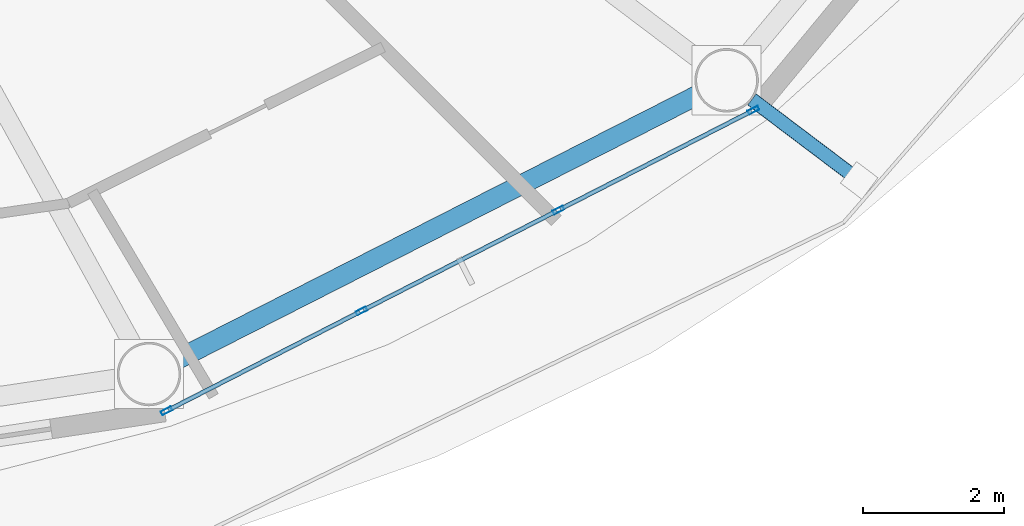
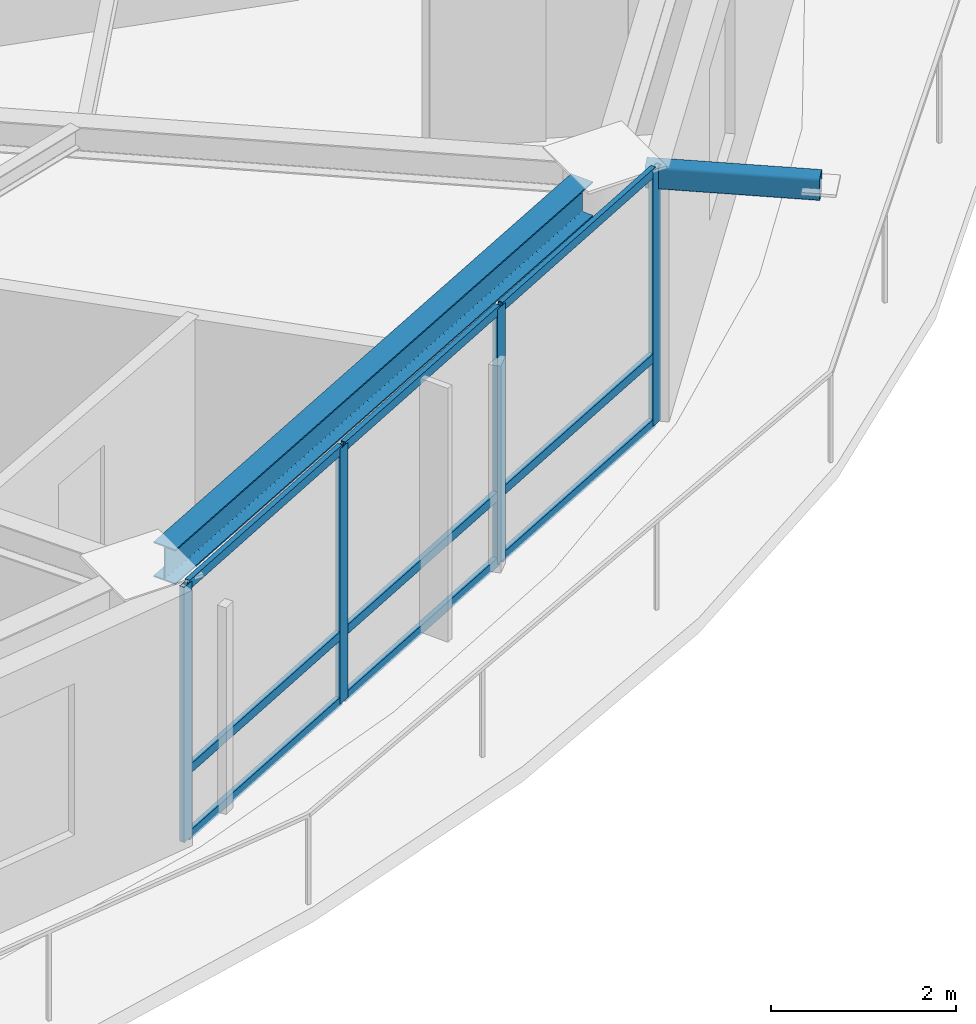
# One storey, part 5 of 23: 14 members, 1 beam, 1 element without a shape of its own.
"""IFC4 building model written with IfcOpenShell, lengths in metres."""

from ifc_helpers import new_model, si_unit, direction, frame, origin, origin_2d, place, context, subcontext, project, spatial, hollow_rectangle, i_section, extrude, material, layer, layer_set, material_profile, profile_set, type_object, element, aggregate, save


model = new_model("IFC4")

# Units and contexts
model_context = context("Model", 3, precision=1e-05, world=origin(), true_north=direction((0.0, 1.0)))
body_context = subcontext(model_context, "Body", "Model", "MODEL_VIEW")
ifc_project = project(units=[si_unit("LENGTHUNIT", "METRE"), si_unit("AREAUNIT", "SQUARE_METRE"), si_unit("VOLUMEUNIT", "CUBIC_METRE"), si_unit("PLANEANGLEUNIT", "RADIAN"), si_unit("MASSUNIT", "GRAM", prefix="KILO")], contexts=[model_context])

# Site, building, storey
site_placement = place(None, origin())
site = spatial("IfcSite", under=ifc_project, at=site_placement, CompositionType="ELEMENT")
building_placement = place(site_placement, origin())
building = spatial("IfcBuilding", under=site, at=building_placement, Name="Sarneth Arch Tower", CompositionType="ELEMENT")
storey_placement = place(building_placement, frame((0.0, 0.0, 262.199951171875)))
storey = spatial("IfcBuildingStorey", under=building, at=storey_placement, Name="L67", CompositionType="ELEMENT", Elevation=262.199951171875)

# Beam
ifc_material_1 = material(Name="Steel S355", Category="steel")
ifc_material_profile_1 = material_profile(ifc_material_1, i_section(OverallWidth=0.280029296875, OverallDepth=0.462890625, WebThickness=0.0107421875, FlangeThickness=0.017333984375, FilletRadius=0.01806640625, at=origin_2d()), Name="W460x113")
ifc_profile_set_1 = profile_set([ifc_material_profile_1], Name="Steel S355")
beam_type = type_object("IfcBeamType", Name="BM-RAD-460A", PredefinedType="BEAM", material=ifc_profile_set_1)
beam_placement = place(storey_placement, frame((58.19189453125, 24.465576171875, 3.138427734375), z_axis=(0.891376248079, 0.453264144138, 0.0), x_axis=(-0.453264144138, 0.891376248079, 0.0)))
element("IfcBeam", 1, at=beam_placement, inside=storey, type_object=beam_type, Name="L67 Perimeter spandrel beam 14", PredefinedType="BEAM", context=body_context, shape_type="SweptSolid", body=[
    extrude(i_section(OverallWidth=0.280029296875, OverallDepth=0.462890625, WebThickness=0.0107421875, FlangeThickness=0.017333984375, FilletRadius=0.01806640625, at=origin_2d()), origin(), (0.0, 0.0, 1.0), 8.281982421875),
])

# Curtain wall, members
ifc_material_2 = material(Name="Anodised aluminium Type AA25 and solar-control low-e laminated IGU", Category="aluminium")
ifc_layer = layer(ifc_material_2, 0.179931640625)
ifc_layer_set = layer_set([ifc_layer], Name="Anodised aluminium Type AA25 and solar-control low-e laminated IGU")
curtain_wall_type = type_object("IfcCurtainWallType", Name="CW-RES-HIGH", PredefinedType="NOTDEFINED", material=ifc_layer_set)
curtain_wall_placement = place(storey_placement, origin())
curtain_wall = element("IfcCurtainWall", 2, at=curtain_wall_placement, inside=storey, type_object=curtain_wall_type, Name="L67 Unitised curtain wall facet 14", PredefinedType="NOTDEFINED")
ifc_material_3 = material(Name="Anodised Aluminium 6063-T6", Category="aluminium")
ifc_material_profile_2 = material_profile(ifc_material_3, hollow_rectangle(XDim=0.06005859375, YDim=0.159912109375, WallThickness=0.00390625, at=origin_2d()), Name="AL-MULL-160x60x4")
ifc_profile_set_2 = profile_set([ifc_material_profile_2], Name="Anodised Aluminium 6063-T6")
member_type_1 = type_object("IfcMemberType", Name="CW-MULLION", PredefinedType="MULLION", material=ifc_profile_set_2)
member_1_placement = place(storey_placement, frame((58.039306640625, 23.7392578125, 0.0), z_axis=(0.0, 0.0, 1.0), x_axis=(-0.455941901753, 0.890009540525, 0.0)))
member_1 = element("IfcMember", 3, at=member_1_placement, type_object=member_type_1, Name="CW-SYS-6 mullion 1", PredefinedType="MULLION", context=body_context, shape_type="SweptSolid", body=[
    extrude(hollow_rectangle(XDim=0.06005859375, YDim=0.159912109375, WallThickness=0.00390625, at=origin_2d()), origin(), (0.0, 0.0, 1.0), 3.3701171875),
])
member_2_placement = place(storey_placement, frame((60.802490234375, 25.155029296875, 0.0), z_axis=(0.0, 0.0, 1.0), x_axis=(-0.455941901753, 0.890009540525, 0.0)))
member_2 = element("IfcMember", 4, at=member_2_placement, type_object=member_type_1, Name="CW-SYS-6 mullion 2", PredefinedType="MULLION", context=body_context, shape_type="SweptSolid", body=[
    extrude(hollow_rectangle(XDim=0.06005859375, YDim=0.159912109375, WallThickness=0.00390625, at=origin_2d()), origin(), (0.0, 0.0, 1.0), 3.3701171875),
])
member_3_placement = place(storey_placement, frame((63.592529296875, 26.584228515625, 0.0), z_axis=(0.0, 0.0, 1.0), x_axis=(-0.455941901753, 0.890009540525, 0.0)))
member_3 = element("IfcMember", 5, at=member_3_placement, type_object=member_type_1, Name="CW-SYS-6 mullion 3", PredefinedType="MULLION", context=body_context, shape_type="SweptSolid", body=[
    extrude(hollow_rectangle(XDim=0.06005859375, YDim=0.159912109375, WallThickness=0.00390625, at=origin_2d()), origin(), (0.0, 0.0, 1.0), 3.3701171875),
])
member_4_placement = place(storey_placement, frame((66.355712890625, 27.999755859375, 0.0), z_axis=(0.0, 0.0, 1.0), x_axis=(-0.455941901753, 0.890009540525, 0.0)))
member_4 = element("IfcMember", 6, at=member_4_placement, type_object=member_type_1, Name="CW-SYS-6 mullion 4", PredefinedType="MULLION", context=body_context, shape_type="SweptSolid", body=[
    extrude(hollow_rectangle(XDim=0.06005859375, YDim=0.159912109375, WallThickness=0.00390625, at=origin_2d()), origin(), (0.0, 0.0, 1.0), 3.3701171875),
])
ifc_material_4 = material(Name="Anodised Aluminium 6063-T6", Category="aluminium")
ifc_material_profile_3 = material_profile(ifc_material_4, hollow_rectangle(XDim=0.06005859375, YDim=0.1201171875, WallThickness=0.00390625, at=origin_2d()), Name="AL-TRAN-120x60x4")
ifc_profile_set_3 = profile_set([ifc_material_profile_3], Name="Anodised Aluminium 6063-T6")
member_type_2 = type_object("IfcMemberType", Name="CW-TRANSOM", PredefinedType="USERDEFINED", material=ifc_profile_set_3)
member_5_placement = place(storey_placement, frame((58.066162109375, 23.7529296875, 0.030029296875), z_axis=(0.889973523166, 0.456012201662, 0.0), x_axis=(-0.456012201662, 0.889973523166, 0.0)))
member_5 = element("IfcMember", 7, at=member_5_placement, type_object=member_type_2, Name="CW-SYS-6 transom 1.1", ObjectType="TRANSOM", PredefinedType="USERDEFINED", context=body_context, shape_type="SweptSolid", body=[
    extrude(hollow_rectangle(XDim=0.06005859375, YDim=0.1201171875, WallThickness=0.00390625, at=origin_2d()), origin(), (0.0, 0.0, 1.0), 3.044677734375),
])
member_6_placement = place(storey_placement, frame((58.066162109375, 23.7529296875, 0.900146484375), z_axis=(0.889973523166, 0.456012201662, 0.0), x_axis=(-0.456012201662, 0.889973523166, 0.0)))
member_6 = element("IfcMember", 8, at=member_6_placement, type_object=member_type_2, Name="CW-SYS-6 transom 1.2", ObjectType="TRANSOM", PredefinedType="USERDEFINED", context=body_context, shape_type="SweptSolid", body=[
    extrude(hollow_rectangle(XDim=0.06005859375, YDim=0.1201171875, WallThickness=0.00390625, at=origin_2d()), origin(), (0.0, 0.0, 1.0), 3.044677734375),
])
member_7_placement = place(storey_placement, frame((58.066162109375, 23.7529296875, 3.340087890625), z_axis=(0.889973523166, 0.456012201662, 0.0), x_axis=(-0.456012201662, 0.889973523166, 0.0)))
member_7 = element("IfcMember", 9, at=member_7_placement, type_object=member_type_2, Name="CW-SYS-6 transom 1.3", ObjectType="TRANSOM", PredefinedType="USERDEFINED", context=body_context, shape_type="SweptSolid", body=[
    extrude(hollow_rectangle(XDim=0.06005859375, YDim=0.1201171875, WallThickness=0.00390625, at=origin_2d()), origin(), (0.0, 0.0, 1.0), 3.044677734375),
])
member_8_placement = place(storey_placement, frame((60.829345703125, 25.168701171875, 0.030029296875), z_axis=(0.890017432405, 0.455926496286, 0.0), x_axis=(-0.455926496286, 0.890017432405, 0.0)))
member_8 = element("IfcMember", 10, at=member_8_placement, type_object=member_type_2, Name="CW-SYS-6 transom 2.1", ObjectType="TRANSOM", PredefinedType="USERDEFINED", context=body_context, shape_type="SweptSolid", body=[
    extrude(hollow_rectangle(XDim=0.06005859375, YDim=0.1201171875, WallThickness=0.00390625, at=origin_2d()), origin(), (0.0, 0.0, 1.0), 3.07470703125),
])
member_9_placement = place(storey_placement, frame((60.829345703125, 25.168701171875, 0.900146484375), z_axis=(0.890017432405, 0.455926496286, 0.0), x_axis=(-0.455926496286, 0.890017432405, 0.0)))
member_9 = element("IfcMember", 11, at=member_9_placement, type_object=member_type_2, Name="CW-SYS-6 transom 2.2", ObjectType="TRANSOM", PredefinedType="USERDEFINED", context=body_context, shape_type="SweptSolid", body=[
    extrude(hollow_rectangle(XDim=0.06005859375, YDim=0.1201171875, WallThickness=0.00390625, at=origin_2d()), origin(), (0.0, 0.0, 1.0), 3.07470703125),
])
member_10_placement = place(storey_placement, frame((60.829345703125, 25.168701171875, 3.340087890625), z_axis=(0.890017432405, 0.455926496286, 0.0), x_axis=(-0.455926496286, 0.890017432405, 0.0)))
member_10 = element("IfcMember", 12, at=member_10_placement, type_object=member_type_2, Name="CW-SYS-6 transom 2.3", ObjectType="TRANSOM", PredefinedType="USERDEFINED", context=body_context, shape_type="SweptSolid", body=[
    extrude(hollow_rectangle(XDim=0.06005859375, YDim=0.1201171875, WallThickness=0.00390625, at=origin_2d()), origin(), (0.0, 0.0, 1.0), 3.07470703125),
])
member_11_placement = place(storey_placement, frame((63.619140625, 26.597900390625, 0.030029296875), z_axis=(0.890022732705, 0.455916149384, 0.0), x_axis=(-0.455916149384, 0.890022732705, 0.0)))
member_11 = element("IfcMember", 13, at=member_11_placement, type_object=member_type_2, Name="CW-SYS-6 transom 3.1", ObjectType="TRANSOM", PredefinedType="USERDEFINED", context=body_context, shape_type="SweptSolid", body=[
    extrude(hollow_rectangle(XDim=0.06005859375, YDim=0.1201171875, WallThickness=0.00390625, at=origin_2d()), origin(), (0.0, 0.0, 1.0), 3.044921875),
])
member_12_placement = place(storey_placement, frame((63.619140625, 26.597900390625, 0.900146484375), z_axis=(0.890022732705, 0.455916149384, 0.0), x_axis=(-0.455916149384, 0.890022732705, 0.0)))
member_12 = element("IfcMember", 14, at=member_12_placement, type_object=member_type_2, Name="CW-SYS-6 transom 3.2", ObjectType="TRANSOM", PredefinedType="USERDEFINED", context=body_context, shape_type="SweptSolid", body=[
    extrude(hollow_rectangle(XDim=0.06005859375, YDim=0.1201171875, WallThickness=0.00390625, at=origin_2d()), origin(), (0.0, 0.0, 1.0), 3.044921875),
])
member_13_placement = place(storey_placement, frame((63.619140625, 26.597900390625, 3.340087890625), z_axis=(0.890022732705, 0.455916149384, 0.0), x_axis=(-0.455916149384, 0.890022732705, 0.0)))
member_13 = element("IfcMember", 15, at=member_13_placement, type_object=member_type_2, Name="CW-SYS-6 transom 3.3", ObjectType="TRANSOM", PredefinedType="USERDEFINED", context=body_context, shape_type="SweptSolid", body=[
    extrude(hollow_rectangle(XDim=0.06005859375, YDim=0.1201171875, WallThickness=0.00390625, at=origin_2d()), origin(), (0.0, 0.0, 1.0), 3.044921875),
])
aggregate(curtain_wall, [member_1, member_2, member_3, member_4, member_5, member_6, member_7, member_8, member_9, member_10, member_11, member_12, member_13])

# Member
ifc_material_5 = material(Name="Steel S355", Category="steel")
ifc_material_profile_4 = material_profile(ifc_material_5, hollow_rectangle(XDim=0.199951171875, YDim=0.300048828125, WallThickness=0.012451171875, InnerFilletRadius=0.018798828125, OuterFilletRadius=0.03125, at=origin_2d()), Name="RHS300x200x12.5")
ifc_profile_set_4 = profile_set([ifc_material_profile_4], Name="Steel S355")
member_type_3 = type_object("IfcMemberType", Name="MEM-CANT-STRUT", PredefinedType="STRUT", material=ifc_profile_set_4)
member_14_placement = place(storey_placement, frame((66.334228515625, 28.15234375, 3.2099609375), z_axis=(0.797979698367, -0.602684329475, 0.0), x_axis=(0.602684329475, 0.797979698367, 0.0)))
element("IfcMember", 16, at=member_14_placement, inside=storey, type_object=member_type_3, Name="L67 Balcony cantilever bracket 15", PredefinedType="STRUT", context=body_context, shape_type="SweptSolid", body=[
    extrude(hollow_rectangle(XDim=0.199951171875, YDim=0.300048828125, WallThickness=0.012451171875, InnerFilletRadius=0.018798828125, OuterFilletRadius=0.03125, at=origin_2d()), origin(), (0.0, 0.0, 1.0), 1.90380859375),
])

save(model, "model.ifc")
